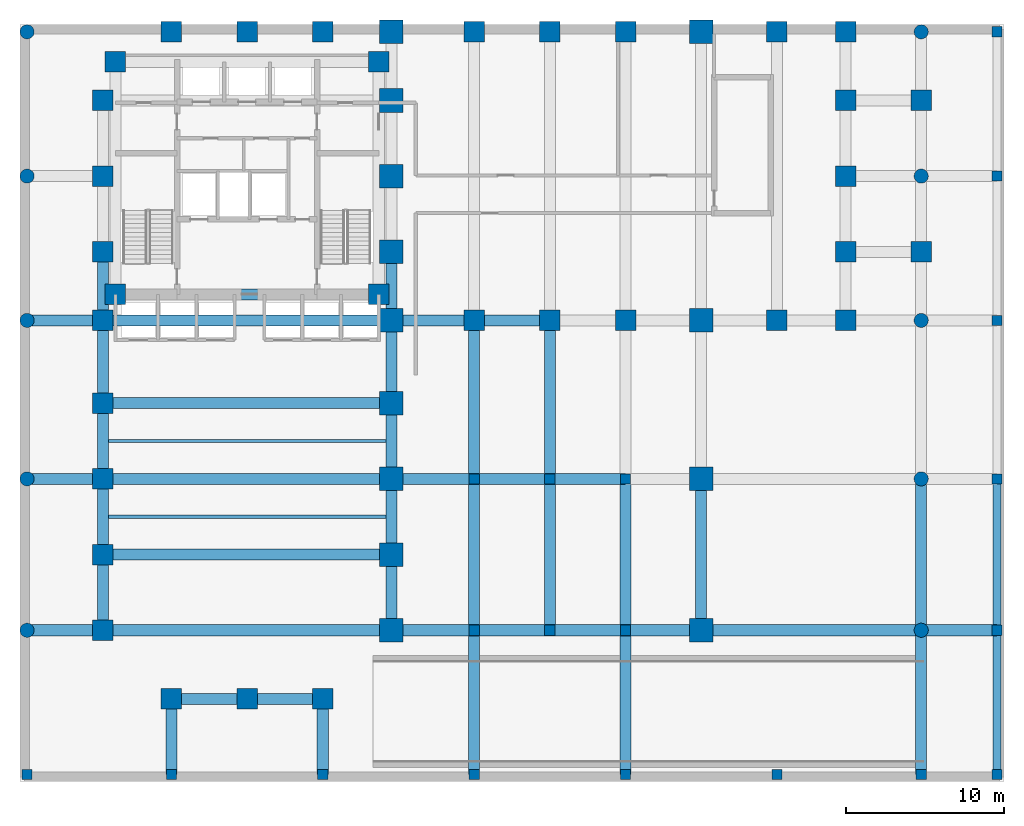
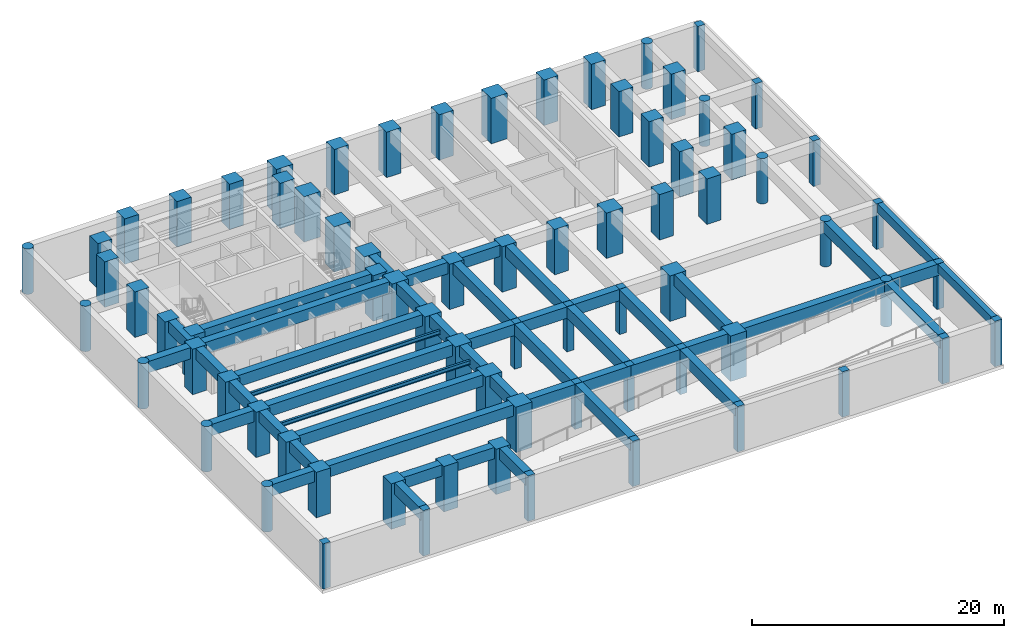
# One storey, part 1 of 6: 75 columns, 48 beams.
"""IFC4 building model written with IfcOpenShell, lengths in metres."""

import ifcopenshell
import ifcopenshell.guid

model = None  # the IFC model being written
_history = None  # IfcOwnerHistory: only IFC2X3 demands one
_inside = {}  # id of a spatial element -> (the spatial element, [elements in it])
_under = {}  # id of a project, library or spatial element -> (it, [spatial elements below it])
_declared = {}  # id of a project -> (the project, [libraries it declares])
_typed = {}  # id of a type object -> (the type object, [elements of that type])
_made_of = {}  # id of a material, layer set ... -> (it, [elements and type objects made of it])


def new_model(schema):
    """Start an empty IFC model of exactly this schema.

    Asked for "IFC4X3", IfcOpenShell would pick the latest addendum, in which some entities
    have other attributes; the version numbers below select the first issue.
    IFC2X3 requires an IfcOwnerHistory on every rooted entity: one is made here for all.
    """
    global model, _history
    if schema == "IFC4X3":
        model = ifcopenshell.file(schema_version=(4, 3, 0, 0))
    else:
        model = ifcopenshell.file(schema=schema)
    _inside.clear()
    _under.clear()
    _declared.clear()
    _typed.clear()
    _made_of.clear()
    _history = None
    if model.schema == "IFC2X3":
        org = make("IfcOrganization", Name="unknown")
        user = make(
            "IfcPersonAndOrganization",
            ThePerson=make("IfcPerson", FamilyName="unknown"),
            TheOrganization=org,
        )
        app = make(
            "IfcApplication",
            ApplicationDeveloper=org,
            Version="unknown",
            ApplicationFullName="unknown",
            ApplicationIdentifier="unknown",
        )
        _history = make(
            "IfcOwnerHistory",
            OwningUser=user,
            OwningApplication=app,
            ChangeAction="ADDED",
            CreationDate=0,
        )
    return model


def make(cls, **values):
    """One entity of the class cls with the attributes given. An attribute that is None is left unset."""
    return model.create_entity(
        cls, **{name: value for name, value in values.items() if value is not None}
    )


def rooted(cls, **values):
    """An entity with a GlobalId (a new one), such as an element, a storey or a relation."""
    return make(cls, GlobalId=ifcopenshell.guid.new(), OwnerHistory=_history, **values)


def si_unit(unit_type, name, prefix=None):
    """IfcSIUnit, for example si_unit("LENGTHUNIT", "METRE", prefix="MILLI")."""
    return make("IfcSIUnit", UnitType=unit_type, Prefix=prefix, Name=name)


def assignment(units):
    """IfcUnitAssignment: the units of a project."""
    return None if units is None else make("IfcUnitAssignment", Units=units)


def point(xyz):
    """IfcCartesianPoint."""
    return None if xyz is None else make("IfcCartesianPoint", Coordinates=xyz)


def direction(xyz):
    """IfcDirection."""
    return None if xyz is None else make("IfcDirection", DirectionRatios=xyz)


def frame(location, z_axis=None, x_axis=None):
    """IfcAxis2Placement3D, a coordinate frame: its origin and axes. An axis left out is left unset."""
    return make(
        "IfcAxis2Placement3D",
        Location=point(location),
        Axis=direction(z_axis),
        RefDirection=direction(x_axis),
    )


def frame_2d(location, x_axis=None):
    """IfcAxis2Placement2D, a coordinate frame in the plane: its origin and x axis."""
    return make(
        "IfcAxis2Placement2D", Location=point(location), RefDirection=direction(x_axis)
    )


def origin():
    """The frame at (0, 0, 0) with its axes left unset."""
    return frame((0.0, 0.0, 0.0))


def origin_2d():
    """The frame at (0, 0) in the plane with its x axis left unset."""
    return frame_2d((0.0, 0.0))


def place(relative_to, where):
    """IfcLocalPlacement: puts the frame where relative to a parent placement (None: the world)."""
    return make(
        "IfcLocalPlacement", PlacementRelTo=relative_to, RelativePlacement=where
    )


def context(
    kind, dimensions, precision=None, world=None, true_north=None, identifier=None
):
    """IfcGeometricRepresentationContext, for example the 3D "Model" context."""
    return make(
        "IfcGeometricRepresentationContext",
        ContextIdentifier=identifier,
        ContextType=kind,
        CoordinateSpaceDimension=dimensions,
        Precision=precision,
        WorldCoordinateSystem=world,
        TrueNorth=true_north,
    )


def subcontext(parent, identifier, kind, view, scale=None):
    """IfcGeometricRepresentationSubContext, for example "Body" below "Model"."""
    return make(
        "IfcGeometricRepresentationSubContext",
        ContextIdentifier=identifier,
        ContextType=kind,
        ParentContext=parent,
        TargetScale=scale,
        TargetView=view,
    )


def project(units=None, contexts=None):
    """IfcProject with its units and contexts."""
    return rooted(
        "IfcProject",
        Name="project",
        RepresentationContexts=contexts,
        UnitsInContext=assignment(units),
    )


def spatial(cls, under=None, at=None, **own):
    """A site, building, storey or space (cls), placed at a placement, below another one or the project."""
    s = rooted(cls, ObjectPlacement=at, **own)
    if under is not None:
        _under.setdefault(under.id(), (under, []))[1].append(s)
    return s


def profile(cls, at=None, kind="AREA", **sizes):
    """A parametric profile (cls). Its sizes go by their IFC names, for example OverallWidth=200.0."""
    return make(cls, ProfileType=kind, Position=at, **sizes)


def rectangle(**sizes):
    """IfcRectangleProfileDef."""
    return profile("IfcRectangleProfileDef", **sizes)


def circle(**sizes):
    """IfcCircleProfileDef."""
    return profile("IfcCircleProfileDef", **sizes)


def i_section(**sizes):
    """IfcIShapeProfileDef."""
    return profile("IfcIShapeProfileDef", **sizes)


def extrude(swept, where, along, depth):
    """IfcExtrudedAreaSolid: the profile swept, set in the frame where, extruded along a direction by depth."""
    return make(
        "IfcExtrudedAreaSolid",
        SweptArea=swept,
        Position=where,
        ExtrudedDirection=direction(along),
        Depth=depth,
    )


def shape(context_of_items, identifier, shape_type, items):
    """IfcShapeRepresentation: the items that make up one representation, for example the "Body"."""
    return make(
        "IfcShapeRepresentation",
        ContextOfItems=context_of_items,
        RepresentationIdentifier=identifier,
        RepresentationType=shape_type,
        Items=items,
    )


def material(Name=None, Category=None):
    """IfcMaterial."""
    return make("IfcMaterial", Name=Name, Category=Category)


def material_profile(
    of_material, cross_section, Name=None, Category=None, Priority=None
):
    """IfcMaterialProfile: a cross section and its material."""
    return make(
        "IfcMaterialProfile",
        Name=Name,
        Material=of_material,
        Profile=cross_section,
        Priority=Priority,
        Category=Category,
    )


def profile_set(profiles, Name=None, composite=None):
    """IfcMaterialProfileSet."""
    return make(
        "IfcMaterialProfileSet",
        Name=Name,
        MaterialProfiles=profiles,
        CompositeProfile=composite,
    )


def made_of(thing, what):
    """Note that an element or type object is made of a material, layer set ...; save() writes the relation."""
    if what is not None:
        _made_of.setdefault(what.id(), (what, []))[1].append(thing)
    return thing


def type_object(cls, material=None, **own):
    """A type object (cls), such as IfcWallType, which elements share."""
    return made_of(rooted(cls, **own), material)


def element(
    cls,
    number,
    at=None,
    inside=None,
    cuts=None,
    type_object=None,
    material=None,
    context=None,
    identifier="Body",
    shape_type=None,
    held_by="IfcProductDefinitionShape",
    body=None,
    shapes=None,
    **own,
):
    """One element of the class cls, such as IfcWall. Its Tag is "e" and its number.

    at: its placement. inside: the storey or other place that contains it. cuts: it is an
    opening in that element (IfcRelVoidsElement). A single representation is given by context,
    identifier, shape_type and body (its items); several are given by shapes. held_by: the class
    of the entity that holds the representations. save() writes the other relations.
    """
    e = rooted(cls, Tag="e%d" % number, ObjectPlacement=at, **own)
    if body is not None:
        shapes = [shape(context, identifier, shape_type, body)]
    if shapes is not None:
        e.Representation = make(held_by, Representations=shapes)
    if inside is not None:
        _inside.setdefault(inside.id(), (inside, []))[1].append(e)
    if cuts is not None:
        rooted(
            "IfcRelVoidsElement", RelatingBuildingElement=cuts, RelatedOpeningElement=e
        )
    if type_object is not None:
        _typed.setdefault(type_object.id(), (type_object, []))[1].append(e)
    return made_of(e, material)


def aggregate(whole, parts):
    """IfcRelAggregates: a whole, such as a stair, and the parts it consists of."""
    return rooted("IfcRelAggregates", RelatingObject=whole, RelatedObjects=parts)


def save(model, path):
    """Write the relations noted so far, then the file.

    IfcRelAggregates (storeys below a building ...), IfcRelContainedInSpatialStructure (elements
    in a storey), IfcRelDefinesByType, IfcRelAssociatesMaterial and IfcRelDeclares: one each for
    every whole, place, type object, material and project.
    """
    for whole, parts in _under.values():
        aggregate(whole, parts)
    for where, things in _inside.values():
        rooted(
            "IfcRelContainedInSpatialStructure",
            RelatedElements=things,
            RelatingStructure=where,
        )
    for kind, things in _typed.values():
        rooted("IfcRelDefinesByType", RelatedObjects=things, RelatingType=kind)
    for what, things in _made_of.values():
        rooted("IfcRelAssociatesMaterial", RelatedObjects=things, RelatingMaterial=what)
    for by, libraries in _declared.values():
        rooted("IfcRelDeclares", RelatingContext=by, RelatedDefinitions=libraries)
    model.write(path)


model = new_model("IFC4")

# Units and contexts
model_context = context("Model", 3, precision=1e-05, world=origin(), true_north=direction((0.0, 1.0)))
body_context = subcontext(model_context, "Body", "Model", "MODEL_VIEW")
ifc_project = project(units=[si_unit("LENGTHUNIT", "METRE"), si_unit("AREAUNIT", "SQUARE_METRE"), si_unit("VOLUMEUNIT", "CUBIC_METRE"), si_unit("PLANEANGLEUNIT", "RADIAN"), si_unit("MASSUNIT", "GRAM", prefix="KILO")], contexts=[model_context])

# Site, building, storey
site_placement = place(None, origin())
site = spatial("IfcSite", under=ifc_project, at=site_placement, CompositionType="ELEMENT")
building_placement = place(site_placement, origin())
building = spatial("IfcBuilding", under=site, at=building_placement, Name="Orvandelia Arch Residences", CompositionType="ELEMENT")
storey_placement = place(building_placement, frame((0.0, 0.0, -4.39990234375)))
storey = spatial("IfcBuildingStorey", under=building, at=storey_placement, Name="B1", CompositionType="ELEMENT", Elevation=-4.39990234375)

# Columns
ifc_material_1 = material(Name="Concrete C50/60", Category="concrete")
ifc_material_profile_1 = material_profile(ifc_material_1, rectangle(XDim=0.64990234375, YDim=0.64990234375, at=origin_2d()), Name="Concrete C50/60", Category="concrete")
ifc_profile_set_1 = profile_set([ifc_material_profile_1], Name="Concrete C50/60")
column_type_1 = type_object("IfcColumnType", Name="COL-BSM-650", PredefinedType="PILASTER", material=ifc_profile_set_1)
for number, where, z_axis, x_axis, name in (
    (1, (0.449951171875, 0.449951171875, 0.0), (0.0, 0.0, 1.0), (1.0, 0.0, 0.0), "Structural Column B1-BSM-S0-4"),
    (2, (9.60009765625, 0.449951171875, 0.0), (0.0, 0.0, 1.0), (1.0, 0.0, 0.0), "Structural Column B1-BSM-S0-96"),
    (3, (19.199951171875, 0.449951171875, 0.0), (0.0, 0.0, 1.0), (1.0, 0.0, 0.0), "Structural Column B1-BSM-S0-192"),
    (4, (28.800048828125, 0.449951171875, 0.0), (0.0, 0.0, 1.0), (1.0, 0.0, 0.0), "Structural Column B1-BSM-S0-288"),
    (5, (28.800048828125, 9.60009765625, 0.0), (0.0, 0.0, 1.0), (1.0, 0.0, 0.0), "Structural Column B1-XFR-S-288-96"),
    (6, (28.800048828125, 19.199951171875, 0.0), (0.0, 0.0, 1.0), (1.0, 0.0, 0.0), "Structural Column B1-XFR-S-288-192"),
    (7, (33.60009765625, 9.60009765625, 0.0), (0.0, 0.0, 1.0), (1.0, 0.0, 0.0), "Structural Column B1-XFR-S-336-96"),
    (8, (33.60009765625, 19.199951171875, 0.0), (0.0, 0.0, 1.0), (1.0, 0.0, 0.0), "Structural Column B1-XFR-S-336-192"),
    (9, (38.39990234375, 0.449951171875, 0.0), (0.0, 0.0, 1.0), (1.0, 0.0, 0.0), "Structural Column B1-BSM-S0-384"),
    (10, (38.39990234375, 9.60009765625, 0.0), (0.0, 0.0, 1.0), (1.0, 0.0, 0.0), "Structural Column B1-XFR-S-384-96"),
    (11, (38.39990234375, 19.199951171875, 0.0), (0.0, 0.0, 1.0), (1.0, 0.0, 0.0), "Structural Column B1-XFR-S-384-192"),
    (12, (48.0, 0.449951171875, 0.0), (0.0, 0.0, 1.0), (1.0, 0.0, 0.0), "Structural Column B1-BSM-S0-480"),
    (13, (57.14990234375, 0.449951171875, 0.0), (0.0, 0.0, 1.0), (1.0, 0.0, 0.0), "Structural Column B1-BSM-S0-571"),
    (14, (61.949951171875, 0.449951171875, 0.0), (0.0, 0.0, 1.0), (1.0, 0.0, 0.0), "Structural Column B1-BSM-S0-619"),
    (15, (61.949951171875, 9.60009765625, 0.0), (0.0, 0.0, 1.0), (1.0, 0.0, 0.0), "Structural Column B1-BSM-E62-96"),
    (16, (61.949951171875, 19.199951171875, 0.0), (0.0, 0.0, 1.0), (1.0, 0.0, 0.0), "Structural Column B1-BSM-E62-192"),
    (17, (61.949951171875, 29.25, 0.0), (0.0, 0.0, 1.0), (1.0, 0.0, 0.0), "Structural Column B1-BSM-E62-292"),
    (18, (61.949951171875, 38.39990234375, 0.0), (0.0, 0.0, 1.0), (1.0, 0.0, 0.0), "Structural Column B1-BSM-E62-384"),
    (19, (61.949951171875, 47.550048828125, 0.0), (0.0, 0.0, 1.0), (1.0, 0.0, 0.0), "Structural Column B1-BSM-E62-475"),
):
    element("IfcColumn", number, at=place(storey_placement, frame(where, z_axis=z_axis, x_axis=x_axis)), inside=storey, type_object=column_type_1, Name=name, PredefinedType="PILASTER", context=body_context, shape_type="SweptSolid", body=[
        extrude(rectangle(XDim=0.64990234375, YDim=0.64990234375, at=origin_2d()), origin(), (0.0, 0.0, 1.0), 4.39990234375),
    ])
ifc_material_2 = material(Name="Concrete C80/95", Category="concrete")
ifc_material_profile_2 = material_profile(ifc_material_2, rectangle(XDim=1.5, YDim=1.5, at=origin_2d()), Name="Concrete C80/95", Category="concrete")
ifc_profile_set_2 = profile_set([ifc_material_profile_2], Name="Concrete C80/95")
column_type_2 = type_object("IfcColumnType", Name="COL-MEGA-1500", PredefinedType="USERDEFINED", material=ifc_profile_set_2)
for number, where, z_axis, x_axis, name in (
    (20, (23.550048828125, 9.60009765625, 0.0), (0.0, 0.0, 1.0), (1.0, 0.0, 0.0), "Structural Column B1-W-E-96"),
    (21, (23.550048828125, 14.39990234375, 0.0), (0.0, 0.0, 1.0), (1.0, 0.0, 0.0), "Structural Column B1-W-E-144"),
    (22, (23.550048828125, 19.199951171875, 0.0), (0.0, 0.0, 1.0), (1.0, 0.0, 0.0), "Structural Column B1-W-E-192"),
    (23, (23.550048828125, 24.0, 0.0), (0.0, 0.0, 1.0), (1.0, 0.0, 0.0), "Structural Column B1-W-E-240"),
    (24, (23.550048828125, 29.25, 0.0), (0.0, 0.0, 1.0), (1.0, 0.0, 0.0), "Structural Column B1-W-E-292"),
    (25, (23.550048828125, 33.60009765625, 0.0), (0.0, 0.0, 1.0), (1.0, 0.0, 0.0), "Structural Column B1-W-E-336"),
    (26, (23.550048828125, 38.39990234375, 0.0), (0.0, 0.0, 1.0), (1.0, 0.0, 0.0), "Structural Column B1-W-E-384"),
    (27, (23.550048828125, 43.199951171875, 0.0), (0.0, 0.0, 1.0), (1.0, 0.0, 0.0), "Structural Column B1-W-E-432"),
    (28, (23.550048828125, 47.550048828125, 0.0), (0.0, 0.0, 1.0), (1.0, 0.0, 0.0), "Structural Column B1-W-N-235"),
    (29, (43.199951171875, 9.60009765625, 0.0), (0.0, 0.0, 1.0), (1.0, 0.0, 0.0), "Structural Column B1-MPE-96"),
    (30, (43.199951171875, 19.199951171875, 0.0), (0.0, 0.0, 1.0), (1.0, 0.0, 0.0), "Structural Column B1-MPE-192"),
    (31, (43.199951171875, 29.25, 0.0), (0.0, 0.0, 1.0), (1.0, 0.0, 0.0), "Structural Column B1-E-S-432"),
    (32, (43.199951171875, 47.550048828125, 0.0), (0.0, 0.0, 1.0), (1.0, 0.0, 0.0), "Structural Column B1-E-N-432"),
):
    element("IfcColumn", number, at=place(storey_placement, frame(where, z_axis=z_axis, x_axis=x_axis)), inside=storey, type_object=column_type_2, Name=name, ObjectType="PIER COLUMN", PredefinedType="USERDEFINED", context=body_context, shape_type="SweptSolid", body=[
        extrude(rectangle(XDim=1.5, YDim=1.5, at=origin_2d()), origin(), (0.0, 0.0, 1.0), 4.39990234375),
    ])
ifc_material_3 = material(Name="Concrete C60/75", Category="concrete")
ifc_material_profile_3 = material_profile(ifc_material_3, circle(Radius=0.449951171875, at=origin_2d()), Name="Concrete C60/75", Category="concrete")
ifc_profile_set_3 = profile_set([ifc_material_profile_3], Name="Concrete C60/75")
column_type_3 = type_object("IfcColumnType", Name="COL-POD-900C", PredefinedType="COLUMN", material=ifc_profile_set_3)
for number, where, z_axis, x_axis, name in (
    (33, (0.449951171875, 9.60009765625, 0.0), (0.0, 0.0, 1.0), (1.0, 0.0, 0.0), "Structural Column B1-POD-W0-96"),
    (34, (0.449951171875, 19.199951171875, 0.0), (0.0, 0.0, 1.0), (1.0, 0.0, 0.0), "Structural Column B1-POD-W0-192"),
    (35, (0.449951171875, 29.25, 0.0), (0.0, 0.0, 1.0), (1.0, 0.0, 0.0), "Structural Column B1-POD-W0-292"),
    (36, (0.449951171875, 38.39990234375, 0.0), (0.0, 0.0, 1.0), (1.0, 0.0, 0.0), "Structural Column B1-POD-W0-384"),
    (37, (0.449951171875, 47.550048828125, 0.0), (0.0, 0.0, 1.0), (1.0, 0.0, 0.0), "Structural Column B1-POD-W0-475"),
    (38, (57.14990234375, 9.60009765625, 0.0), (0.0, 0.0, 1.0), (1.0, 0.0, 0.0), "Structural Column B1-POD-E0-96"),
    (39, (57.14990234375, 19.199951171875, 0.0), (0.0, 0.0, 1.0), (1.0, 0.0, 0.0), "Structural Column B1-POD-E0-192"),
    (40, (57.14990234375, 29.25, 0.0), (0.0, 0.0, 1.0), (1.0, 0.0, 0.0), "Structural Column B1-POD-E0-292"),
    (41, (57.14990234375, 38.39990234375, 0.0), (0.0, 0.0, 1.0), (1.0, 0.0, 0.0), "Structural Column B1-POD-E0-384"),
    (42, (57.14990234375, 47.550048828125, 0.0), (0.0, 0.0, 1.0), (1.0, 0.0, 0.0), "Structural Column B1-POD-E0-475"),
):
    element("IfcColumn", number, at=place(storey_placement, frame(where, z_axis=z_axis, x_axis=x_axis)), inside=storey, type_object=column_type_3, Name=name, PredefinedType="COLUMN", context=body_context, shape_type="SweptSolid", body=[
        extrude(circle(Radius=0.449951171875, at=origin_2d()), origin(), (0.0, 0.0, 1.0), 4.39990234375),
    ])
ifc_material_profile_4 = material_profile(ifc_material_2, rectangle(XDim=1.300048828125, YDim=1.300048828125, at=origin_2d()), Name="Concrete C80/95", Category="concrete")
ifc_profile_set_4 = profile_set([ifc_material_profile_4], Name="Concrete C80/95")
column_type_4 = type_object("IfcColumnType", Name="COL-TWR-1300", PredefinedType="COLUMN", material=ifc_profile_set_4)
for number, where, z_axis, x_axis, name in (
    (43, (5.25, 9.60009765625, 0.0), (0.0, 0.0, 1.0), (1.0, 0.0, 0.0), "Structural Column B1-W-W-96"),
    (44, (5.25, 14.39990234375, 0.0), (0.0, 0.0, 1.0), (1.0, 0.0, 0.0), "Structural Column B1-W-W-144"),
    (45, (5.25, 19.199951171875, 0.0), (0.0, 0.0, 1.0), (1.0, 0.0, 0.0), "Structural Column B1-W-W-192"),
    (46, (5.25, 24.0, 0.0), (0.0, 0.0, 1.0), (1.0, 0.0, 0.0), "Structural Column B1-W-W-240"),
    (47, (5.25, 29.25, 0.0), (0.0, 0.0, 1.0), (1.0, 0.0, 0.0), "Structural Column B1-W-W-292"),
    (48, (5.25, 33.60009765625, 0.0), (0.0, 0.0, 1.0), (1.0, 0.0, 0.0), "Structural Column B1-W-W-336"),
    (49, (5.25, 38.39990234375, 0.0), (0.0, 0.0, 1.0), (1.0, 0.0, 0.0), "Structural Column B1-W-W-384"),
    (50, (5.25, 43.199951171875, 0.0), (0.0, 0.0, 1.0), (1.0, 0.0, 0.0), "Structural Column B1-W-W-432"),
    (51, (6.050048828125, 30.89990234375, 0.0), (0.0, 0.0, 1.0), (1.0, 0.0, 0.0), "Structural Column B1-CR-SW"),
    (52, (6.050048828125, 45.64990234375, 0.0), (0.0, 0.0, 1.0), (1.0, 0.0, 0.0), "Structural Column B1-CR-NW"),
    (53, (9.60009765625, 5.25, 0.0), (0.0, 0.0, 1.0), (1.0, 0.0, 0.0), "Structural Column B1-W-S-96"),
    (54, (9.60009765625, 47.550048828125, 0.0), (0.0, 0.0, 1.0), (1.0, 0.0, 0.0), "Structural Column B1-W-N-96"),
    (55, (14.39990234375, 5.25, 0.0), (0.0, 0.0, 1.0), (1.0, 0.0, 0.0), "Structural Column B1-W-S-144"),
    (56, (14.39990234375, 47.550048828125, 0.0), (0.0, 0.0, 1.0), (1.0, 0.0, 0.0), "Structural Column B1-W-N-144"),
    (57, (19.199951171875, 5.25, 0.0), (0.0, 0.0, 1.0), (1.0, 0.0, 0.0), "Structural Column B1-W-S-192"),
    (58, (19.199951171875, 47.550048828125, 0.0), (0.0, 0.0, 1.0), (1.0, 0.0, 0.0), "Structural Column B1-W-N-192"),
    (59, (22.75, 30.89990234375, 0.0), (0.0, 0.0, 1.0), (1.0, 0.0, 0.0), "Structural Column B1-CR-SE"),
    (60, (22.75, 45.64990234375, 0.0), (0.0, 0.0, 1.0), (1.0, 0.0, 0.0), "Structural Column B1-CR-NE"),
    (61, (28.800048828125, 29.25, 0.0), (0.0, 0.0, 1.0), (1.0, 0.0, 0.0), "Structural Column B1-E-S-288"),
    (62, (28.800048828125, 47.550048828125, 0.0), (0.0, 0.0, 1.0), (1.0, 0.0, 0.0), "Structural Column B1-E-N-288"),
    (63, (33.60009765625, 29.25, 0.0), (0.0, 0.0, 1.0), (1.0, 0.0, 0.0), "Structural Column B1-E-S-336"),
    (64, (33.60009765625, 47.550048828125, 0.0), (0.0, 0.0, 1.0), (1.0, 0.0, 0.0), "Structural Column B1-E-N-336"),
    (65, (38.39990234375, 29.25, 0.0), (0.0, 0.0, 1.0), (1.0, 0.0, 0.0), "Structural Column B1-E-S-384"),
    (66, (38.39990234375, 47.550048828125, 0.0), (0.0, 0.0, 1.0), (1.0, 0.0, 0.0), "Structural Column B1-E-N-384"),
    (67, (48.0, 29.25, 0.0), (0.0, 0.0, 1.0), (1.0, 0.0, 0.0), "Structural Column B1-E-S-480"),
    (68, (48.0, 47.550048828125, 0.0), (0.0, 0.0, 1.0), (1.0, 0.0, 0.0), "Structural Column B1-E-N-480"),
    (69, (52.35009765625, 29.25, 0.0), (0.0, 0.0, 1.0), (1.0, 0.0, 0.0), "Structural Column B1-E-S-523"),
    (70, (52.35009765625, 33.60009765625, 0.0), (0.0, 0.0, 1.0), (1.0, 0.0, 0.0), "Structural Column B1-E-523-336"),
    (71, (52.35009765625, 38.39990234375, 0.0), (0.0, 0.0, 1.0), (1.0, 0.0, 0.0), "Structural Column B1-E-523-384"),
    (72, (52.35009765625, 43.199951171875, 0.0), (0.0, 0.0, 1.0), (1.0, 0.0, 0.0), "Structural Column B1-E-523-432"),
    (73, (52.35009765625, 47.550048828125, 0.0), (0.0, 0.0, 1.0), (1.0, 0.0, 0.0), "Structural Column B1-E-N-523"),
    (74, (57.14990234375, 33.60009765625, 0.0), (0.0, 0.0, 1.0), (1.0, 0.0, 0.0), "Structural Column B1-E-571-336"),
    (75, (57.14990234375, 43.199951171875, 0.0), (0.0, 0.0, 1.0), (1.0, 0.0, 0.0), "Structural Column B1-E-571-432"),
):
    element("IfcColumn", number, at=place(storey_placement, frame(where, z_axis=z_axis, x_axis=x_axis)), inside=storey, type_object=column_type_4, Name=name, PredefinedType="COLUMN", context=body_context, shape_type="SweptSolid", body=[
        extrude(rectangle(XDim=1.300048828125, YDim=1.300048828125, at=origin_2d()), origin(), (0.0, 0.0, 1.0), 4.39990234375),
    ])

# Beams
ifc_material_4 = material(Name="Structural Steel SM355 (355 MPa)", Category="steel")
ifc_material_profile_5 = material_profile(ifc_material_4, i_section(OverallWidth=0.199951171875, OverallDepth=0.39990234375, WebThickness=0.008056640625, FlangeThickness=0.012939453125, FilletRadius=0.01611328125, at=origin_2d()), Name="Structural Steel SM355 (355 MPa)", Category="steel")
ifc_profile_set_5 = profile_set([ifc_material_profile_5], Name="Structural Steel SM355 (355 MPa)")
beam_type_1 = type_object("IfcBeamType", Name="BM-JST-H400", PredefinedType="JOIST", material=ifc_profile_set_5)
for number, where, z_axis, x_axis, name in (
    (76, (5.25, 16.800048828125, 3.849853515625), (1.0, 0.0, 0.0), (0.0, 1.0, 0.0), "Composite Floor Joist B1-J1"),
    (77, (5.25, 21.60009765625, 3.849853515625), (1.0, 0.0, 0.0), (0.0, 1.0, 0.0), "Composite Floor Joist B1-J2"),
):
    element("IfcBeam", number, at=place(storey_placement, frame(where, z_axis=z_axis, x_axis=x_axis)), inside=storey, type_object=beam_type_1, Name=name, PredefinedType="JOIST", context=body_context, shape_type="SweptSolid", body=[
        extrude(i_section(OverallWidth=0.199951171875, OverallDepth=0.39990234375, WebThickness=0.008056640625, FlangeThickness=0.012939453125, FilletRadius=0.01611328125, at=origin_2d()), origin(), (0.0, 0.0, 1.0), 18.300048828125),
    ])
ifc_material_profile_6 = material_profile(ifc_material_1, rectangle(XDim=0.5, YDim=0.85009765625, at=origin_2d()), Name="Concrete C50/60", Category="concrete")
ifc_profile_set_6 = profile_set([ifc_material_profile_6], Name="Concrete C50/60")
beam_type_2 = type_object("IfcBeamType", Name="BM-RC-500x850", PredefinedType="T_BEAM", material=ifc_profile_set_6)
beam_1_placement = place(storey_placement, frame((61.949951171875, 0.449951171875, 3.974853515625), z_axis=(0.0, 1.0, 0.0), x_axis=(-1.0, 0.0, 0.0)))
element("IfcBeam", 78, at=beam_1_placement, inside=storey, type_object=beam_type_2, Name="Basement Perimeter Edge Beam B1-4", PredefinedType="T_BEAM", context=body_context, shape_type="SweptSolid", body=[
    extrude(rectangle(XDim=0.5, YDim=0.85009765625, at=origin_2d()), origin(), (0.0, 0.0, 1.0), 9.150146484375),
])
beam_2_placement = place(storey_placement, frame((61.949951171875, 9.60009765625, 3.974853515625), z_axis=(0.0, 1.0, 0.0), x_axis=(-1.0, 0.0, 0.0)))
element("IfcBeam", 79, at=beam_2_placement, inside=storey, type_object=beam_type_2, Name="Basement Perimeter Edge Beam B1-96", PredefinedType="T_BEAM", context=body_context, shape_type="SweptSolid", body=[
    extrude(rectangle(XDim=0.5, YDim=0.85009765625, at=origin_2d()), origin(), (0.0, 0.0, 1.0), 9.599853515625),
])
ifc_material_profile_7 = material_profile(ifc_material_3, rectangle(XDim=0.699951171875, YDim=1.10009765625, at=origin_2d()), Name="Concrete C60/75", Category="concrete")
ifc_profile_set_7 = profile_set([ifc_material_profile_7], Name="Concrete C60/75")
beam_type_3 = type_object("IfcBeamType", Name="BM-RC-700x1100", PredefinedType="BEAM", material=ifc_profile_set_7)
beam_3_placement = place(storey_placement, frame((5.25, 9.60009765625, 3.849853515625), z_axis=(0.0, 1.0, 0.0), x_axis=(-1.0, 0.0, 0.0)))
element("IfcBeam", 80, at=beam_3_placement, inside=storey, type_object=beam_type_3, Name="Structural Frame Beam B1-NS-001", PredefinedType="BEAM", context=body_context, shape_type="SweptSolid", body=[
    extrude(rectangle(XDim=0.699951171875, YDim=1.10009765625, at=origin_2d()), origin(), (0.0, 0.0, 1.0), 4.7998046875),
])
for number, where, z_axis, x_axis, name in (
    (81, (5.25, 14.39990234375, 3.849853515625), (0.0, 1.0, 0.0), (-1.0, 0.0, 0.0), "Structural Frame Beam B1-NS-002"),
    (82, (5.25, 19.199951171875, 3.849853515625), (0.0, 1.0, 0.0), (-1.0, 0.0, 0.0), "Structural Frame Beam B1-NS-003"),
):
    element("IfcBeam", number, at=place(storey_placement, frame(where, z_axis=z_axis, x_axis=x_axis)), inside=storey, type_object=beam_type_3, Name=name, PredefinedType="BEAM", context=body_context, shape_type="SweptSolid", body=[
        extrude(rectangle(XDim=0.699951171875, YDim=1.10009765625, at=origin_2d()), origin(), (0.0, 0.0, 1.0), 4.800048828125),
    ])
beam_4_placement = place(storey_placement, frame((5.25, 24.0, 3.849853515625), z_axis=(0.0, 1.0, 0.0), x_axis=(-1.0, 0.0, 0.0)))
element("IfcBeam", 83, at=beam_4_placement, inside=storey, type_object=beam_type_3, Name="Structural Frame Beam B1-NS-004", PredefinedType="BEAM", context=body_context, shape_type="SweptSolid", body=[
    extrude(rectangle(XDim=0.699951171875, YDim=1.10009765625, at=origin_2d()), origin(), (0.0, 0.0, 1.0), 5.25),
])
beam_5_placement = place(storey_placement, frame((5.25, 29.25, 3.849853515625), z_axis=(0.0, 1.0, 0.0), x_axis=(-1.0, 0.0, 0.0)))
element("IfcBeam", 84, at=beam_5_placement, inside=storey, type_object=beam_type_3, Name="Structural Frame Beam B1-NS-005", PredefinedType="BEAM", context=body_context, shape_type="SweptSolid", body=[
    extrude(rectangle(XDim=0.699951171875, YDim=1.10009765625, at=origin_2d()), origin(), (0.0, 0.0, 1.0), 4.35009765625),
])
for number, where, z_axis, x_axis, name in (
    (85, (9.60009765625, 0.449951171875, 3.849853515625), (0.0, 1.0, 0.0), (-1.0, 0.0, 0.0), "Structural Frame Beam B1-NS-009"),
    (86, (19.199951171875, 0.449951171875, 3.849853515625), (0.0, 1.0, 0.0), (-1.0, 0.0, 0.0), "Structural Frame Beam B1-NS-010"),
):
    element("IfcBeam", number, at=place(storey_placement, frame(where, z_axis=z_axis, x_axis=x_axis)), inside=storey, type_object=beam_type_3, Name=name, PredefinedType="BEAM", context=body_context, shape_type="SweptSolid", body=[
        extrude(rectangle(XDim=0.699951171875, YDim=1.10009765625, at=origin_2d()), origin(), (0.0, 0.0, 1.0), 4.800048828125),
    ])
beam_6_placement = place(storey_placement, frame((23.550048828125, 9.60009765625, 3.849853515625), z_axis=(0.0, 1.0, 0.0), x_axis=(-1.0, 0.0, 0.0)))
element("IfcBeam", 87, at=beam_6_placement, inside=storey, type_object=beam_type_3, Name="Structural Frame Beam B1-NS-012", PredefinedType="BEAM", context=body_context, shape_type="SweptSolid", body=[
    extrude(rectangle(XDim=0.699951171875, YDim=1.10009765625, at=origin_2d()), origin(), (0.0, 0.0, 1.0), 4.7998046875),
])
for number, where, z_axis, x_axis, name in (
    (88, (23.550048828125, 14.39990234375, 3.849853515625), (0.0, 1.0, 0.0), (-1.0, 0.0, 0.0), "Structural Frame Beam B1-NS-013"),
    (89, (23.550048828125, 19.199951171875, 3.849853515625), (0.0, 1.0, 0.0), (-1.0, 0.0, 0.0), "Structural Frame Beam B1-NS-014"),
):
    element("IfcBeam", number, at=place(storey_placement, frame(where, z_axis=z_axis, x_axis=x_axis)), inside=storey, type_object=beam_type_3, Name=name, PredefinedType="BEAM", context=body_context, shape_type="SweptSolid", body=[
        extrude(rectangle(XDim=0.699951171875, YDim=1.10009765625, at=origin_2d()), origin(), (0.0, 0.0, 1.0), 4.800048828125),
    ])
beam_7_placement = place(storey_placement, frame((23.550048828125, 24.0, 3.849853515625), z_axis=(0.0, 1.0, 0.0), x_axis=(-1.0, 0.0, 0.0)))
element("IfcBeam", 90, at=beam_7_placement, inside=storey, type_object=beam_type_3, Name="Structural Frame Beam B1-NS-015", PredefinedType="BEAM", context=body_context, shape_type="SweptSolid", body=[
    extrude(rectangle(XDim=0.699951171875, YDim=1.10009765625, at=origin_2d()), origin(), (0.0, 0.0, 1.0), 5.25),
])
beam_8_placement = place(storey_placement, frame((23.550048828125, 29.25, 3.849853515625), z_axis=(0.0, 1.0, 0.0), x_axis=(-1.0, 0.0, 0.0)))
element("IfcBeam", 91, at=beam_8_placement, inside=storey, type_object=beam_type_3, Name="Structural Frame Beam B1-NS-016", PredefinedType="BEAM", context=body_context, shape_type="SweptSolid", body=[
    extrude(rectangle(XDim=0.699951171875, YDim=1.10009765625, at=origin_2d()), origin(), (0.0, 0.0, 1.0), 4.35009765625),
])
beam_9_placement = place(storey_placement, frame((28.800048828125, 0.449951171875, 3.849853515625), z_axis=(0.0, 1.0, 0.0), x_axis=(-1.0, 0.0, 0.0)))
element("IfcBeam", 92, at=beam_9_placement, inside=storey, type_object=beam_type_3, Name="Structural Frame Beam B1-NS-020", PredefinedType="BEAM", context=body_context, shape_type="SweptSolid", body=[
    extrude(rectangle(XDim=0.699951171875, YDim=1.10009765625, at=origin_2d()), origin(), (0.0, 0.0, 1.0), 9.150146484375),
])
beam_10_placement = place(storey_placement, frame((28.800048828125, 9.60009765625, 3.849853515625), z_axis=(0.0, 1.0, 0.0), x_axis=(-1.0, 0.0, 0.0)))
element("IfcBeam", 93, at=beam_10_placement, inside=storey, type_object=beam_type_3, Name="Structural Frame Beam B1-NS-021", PredefinedType="BEAM", context=body_context, shape_type="SweptSolid", body=[
    extrude(rectangle(XDim=0.699951171875, YDim=1.10009765625, at=origin_2d()), origin(), (0.0, 0.0, 1.0), 9.599853515625),
])
beam_11_placement = place(storey_placement, frame((28.800048828125, 19.199951171875, 3.849853515625), z_axis=(0.0, 1.0, 0.0), x_axis=(-1.0, 0.0, 0.0)))
element("IfcBeam", 94, at=beam_11_placement, inside=storey, type_object=beam_type_3, Name="Structural Frame Beam B1-NS-022", PredefinedType="BEAM", context=body_context, shape_type="SweptSolid", body=[
    extrude(rectangle(XDim=0.699951171875, YDim=1.10009765625, at=origin_2d()), origin(), (0.0, 0.0, 1.0), 10.050048828125),
])
beam_12_placement = place(storey_placement, frame((33.60009765625, 9.60009765625, 3.849853515625), z_axis=(0.0, 1.0, 0.0), x_axis=(-1.0, 0.0, 0.0)))
element("IfcBeam", 95, at=beam_12_placement, inside=storey, type_object=beam_type_3, Name="Structural Frame Beam B1-NS-024", PredefinedType="BEAM", context=body_context, shape_type="SweptSolid", body=[
    extrude(rectangle(XDim=0.699951171875, YDim=1.10009765625, at=origin_2d()), origin(), (0.0, 0.0, 1.0), 9.599853515625),
])
beam_13_placement = place(storey_placement, frame((33.60009765625, 19.199951171875, 3.849853515625), z_axis=(0.0, 1.0, 0.0), x_axis=(-1.0, 0.0, 0.0)))
element("IfcBeam", 96, at=beam_13_placement, inside=storey, type_object=beam_type_3, Name="Structural Frame Beam B1-NS-025", PredefinedType="BEAM", context=body_context, shape_type="SweptSolid", body=[
    extrude(rectangle(XDim=0.699951171875, YDim=1.10009765625, at=origin_2d()), origin(), (0.0, 0.0, 1.0), 10.050048828125),
])
beam_14_placement = place(storey_placement, frame((38.39990234375, 0.449951171875, 3.849853515625), z_axis=(0.0, 1.0, 0.0), x_axis=(-1.0, 0.0, 0.0)))
element("IfcBeam", 97, at=beam_14_placement, inside=storey, type_object=beam_type_3, Name="Structural Frame Beam B1-NS-027", PredefinedType="BEAM", context=body_context, shape_type="SweptSolid", body=[
    extrude(rectangle(XDim=0.699951171875, YDim=1.10009765625, at=origin_2d()), origin(), (0.0, 0.0, 1.0), 9.150146484375),
])
for number, where, z_axis, x_axis, name in (
    (98, (38.39990234375, 9.60009765625, 3.849853515625), (0.0, 1.0, 0.0), (-1.0, 0.0, 0.0), "Structural Frame Beam B1-NS-028"),
    (99, (43.199951171875, 9.60009765625, 3.849853515625), (0.0, 1.0, 0.0), (-1.0, 0.0, 0.0), "Structural Frame Beam B1-NS-031"),
):
    element("IfcBeam", number, at=place(storey_placement, frame(where, z_axis=z_axis, x_axis=x_axis)), inside=storey, type_object=beam_type_3, Name=name, PredefinedType="BEAM", context=body_context, shape_type="SweptSolid", body=[
        extrude(rectangle(XDim=0.699951171875, YDim=1.10009765625, at=origin_2d()), origin(), (0.0, 0.0, 1.0), 9.599853515625),
    ])
beam_15_placement = place(storey_placement, frame((57.14990234375, 0.449951171875, 3.849853515625), z_axis=(0.0, 1.0, 0.0), x_axis=(-1.0, 0.0, 0.0)))
element("IfcBeam", 100, at=beam_15_placement, inside=storey, type_object=beam_type_3, Name="Structural Frame Beam B1-NS-039", PredefinedType="BEAM", context=body_context, shape_type="SweptSolid", body=[
    extrude(rectangle(XDim=0.699951171875, YDim=1.10009765625, at=origin_2d()), origin(), (0.0, 0.0, 1.0), 9.150146484375),
])
beam_16_placement = place(storey_placement, frame((57.14990234375, 9.60009765625, 3.849853515625), z_axis=(0.0, 1.0, 0.0), x_axis=(-1.0, 0.0, 0.0)))
element("IfcBeam", 101, at=beam_16_placement, inside=storey, type_object=beam_type_3, Name="Structural Frame Beam B1-NS-040", PredefinedType="BEAM", context=body_context, shape_type="SweptSolid", body=[
    extrude(rectangle(XDim=0.699951171875, YDim=1.10009765625, at=origin_2d()), origin(), (0.0, 0.0, 1.0), 9.599853515625),
])
beam_17_placement = place(storey_placement, frame((9.60009765625, 5.25, 3.849853515625), z_axis=(1.0, 0.0, 0.0), x_axis=(0.0, 1.0, 0.0)))
element("IfcBeam", 102, at=beam_17_placement, inside=storey, type_object=beam_type_3, Name="Structural Frame Girder B1-EW-046", PredefinedType="BEAM", context=body_context, shape_type="SweptSolid", body=[
    extrude(rectangle(XDim=0.699951171875, YDim=1.10009765625, at=origin_2d()), origin(), (0.0, 0.0, 1.0), 4.7998046875),
])
for number, where, z_axis, x_axis, name in (
    (103, (14.39990234375, 5.25, 3.849853515625), (1.0, 0.0, 0.0), (0.0, 1.0, 0.0), "Structural Frame Girder B1-EW-047"),
    (104, (0.449951171875, 9.60009765625, 3.849853515625), (1.0, 0.0, 0.0), (0.0, 1.0, 0.0), "Structural Frame Girder B1-EW-048"),
):
    element("IfcBeam", number, at=place(storey_placement, frame(where, z_axis=z_axis, x_axis=x_axis)), inside=storey, type_object=beam_type_3, Name=name, PredefinedType="BEAM", context=body_context, shape_type="SweptSolid", body=[
        extrude(rectangle(XDim=0.699951171875, YDim=1.10009765625, at=origin_2d()), origin(), (0.0, 0.0, 1.0), 4.800048828125),
    ])
beam_18_placement = place(storey_placement, frame((5.25, 9.60009765625, 3.849853515625), z_axis=(1.0, 0.0, 0.0), x_axis=(0.0, 1.0, 0.0)))
element("IfcBeam", 105, at=beam_18_placement, inside=storey, type_object=beam_type_3, Name="Structural Frame Girder B1-EW-049", PredefinedType="BEAM", context=body_context, shape_type="SweptSolid", body=[
    extrude(rectangle(XDim=0.699951171875, YDim=1.10009765625, at=origin_2d()), origin(), (0.0, 0.0, 1.0), 18.300048828125),
])
beam_19_placement = place(storey_placement, frame((23.550048828125, 9.60009765625, 3.849853515625), z_axis=(1.0, 0.0, 0.0), x_axis=(0.0, 1.0, 0.0)))
element("IfcBeam", 106, at=beam_19_placement, inside=storey, type_object=beam_type_3, Name="Structural Frame Girder B1-EW-050", PredefinedType="BEAM", context=body_context, shape_type="SweptSolid", body=[
    extrude(rectangle(XDim=0.699951171875, YDim=1.10009765625, at=origin_2d()), origin(), (0.0, 0.0, 1.0), 5.25),
])
beam_20_placement = place(storey_placement, frame((28.800048828125, 9.60009765625, 3.849853515625), z_axis=(1.0, 0.0, 0.0), x_axis=(0.0, 1.0, 0.0)))
element("IfcBeam", 107, at=beam_20_placement, inside=storey, type_object=beam_type_3, Name="Structural Frame Girder B1-EW-051", PredefinedType="BEAM", context=body_context, shape_type="SweptSolid", body=[
    extrude(rectangle(XDim=0.699951171875, YDim=1.10009765625, at=origin_2d()), origin(), (0.0, 0.0, 1.0), 4.800048828125),
])
beam_21_placement = place(storey_placement, frame((33.60009765625, 9.60009765625, 3.849853515625), z_axis=(1.0, 0.0, 0.0), x_axis=(0.0, 1.0, 0.0)))
element("IfcBeam", 108, at=beam_21_placement, inside=storey, type_object=beam_type_3, Name="Structural Frame Girder B1-EW-052", PredefinedType="BEAM", context=body_context, shape_type="SweptSolid", body=[
    extrude(rectangle(XDim=0.699951171875, YDim=1.10009765625, at=origin_2d()), origin(), (0.0, 0.0, 1.0), 4.7998046875),
])
beam_22_placement = place(storey_placement, frame((38.39990234375, 9.60009765625, 3.849853515625), z_axis=(1.0, 0.0, 0.0), x_axis=(0.0, 1.0, 0.0)))
element("IfcBeam", 109, at=beam_22_placement, inside=storey, type_object=beam_type_3, Name="Structural Frame Girder B1-EW-053", PredefinedType="BEAM", context=body_context, shape_type="SweptSolid", body=[
    extrude(rectangle(XDim=0.699951171875, YDim=1.10009765625, at=origin_2d()), origin(), (0.0, 0.0, 1.0), 4.800048828125),
])
beam_23_placement = place(storey_placement, frame((43.199951171875, 9.60009765625, 3.849853515625), z_axis=(1.0, 0.0, 0.0), x_axis=(0.0, 1.0, 0.0)))
element("IfcBeam", 110, at=beam_23_placement, inside=storey, type_object=beam_type_3, Name="Structural Frame Girder B1-EW-054", PredefinedType="BEAM", context=body_context, shape_type="SweptSolid", body=[
    extrude(rectangle(XDim=0.699951171875, YDim=1.10009765625, at=origin_2d()), origin(), (0.0, 0.0, 1.0), 13.949951171875),
])
beam_24_placement = place(storey_placement, frame((57.14990234375, 9.60009765625, 3.849853515625), z_axis=(1.0, 0.0, 0.0), x_axis=(0.0, 1.0, 0.0)))
element("IfcBeam", 111, at=beam_24_placement, inside=storey, type_object=beam_type_3, Name="Structural Frame Girder B1-EW-055", PredefinedType="BEAM", context=body_context, shape_type="SweptSolid", body=[
    extrude(rectangle(XDim=0.699951171875, YDim=1.10009765625, at=origin_2d()), origin(), (0.0, 0.0, 1.0), 4.800048828125),
])
beam_25_placement = place(storey_placement, frame((5.25, 14.39990234375, 3.849853515625), z_axis=(1.0, 0.0, 0.0), x_axis=(0.0, 1.0, 0.0)))
element("IfcBeam", 112, at=beam_25_placement, inside=storey, type_object=beam_type_3, Name="Structural Frame Girder B1-EW-056", PredefinedType="BEAM", context=body_context, shape_type="SweptSolid", body=[
    extrude(rectangle(XDim=0.699951171875, YDim=1.10009765625, at=origin_2d()), origin(), (0.0, 0.0, 1.0), 18.300048828125),
])
beam_26_placement = place(storey_placement, frame((0.449951171875, 19.199951171875, 3.849853515625), z_axis=(1.0, 0.0, 0.0), x_axis=(0.0, 1.0, 0.0)))
element("IfcBeam", 113, at=beam_26_placement, inside=storey, type_object=beam_type_3, Name="Structural Frame Girder B1-EW-057", PredefinedType="BEAM", context=body_context, shape_type="SweptSolid", body=[
    extrude(rectangle(XDim=0.699951171875, YDim=1.10009765625, at=origin_2d()), origin(), (0.0, 0.0, 1.0), 4.800048828125),
])
beam_27_placement = place(storey_placement, frame((5.25, 19.199951171875, 3.849853515625), z_axis=(1.0, 0.0, 0.0), x_axis=(0.0, 1.0, 0.0)))
element("IfcBeam", 114, at=beam_27_placement, inside=storey, type_object=beam_type_3, Name="Structural Frame Girder B1-EW-058", PredefinedType="BEAM", context=body_context, shape_type="SweptSolid", body=[
    extrude(rectangle(XDim=0.699951171875, YDim=1.10009765625, at=origin_2d()), origin(), (0.0, 0.0, 1.0), 18.300048828125),
])
beam_28_placement = place(storey_placement, frame((23.550048828125, 19.199951171875, 3.849853515625), z_axis=(1.0, 0.0, 0.0), x_axis=(0.0, 1.0, 0.0)))
element("IfcBeam", 115, at=beam_28_placement, inside=storey, type_object=beam_type_3, Name="Structural Frame Girder B1-EW-059", PredefinedType="BEAM", context=body_context, shape_type="SweptSolid", body=[
    extrude(rectangle(XDim=0.699951171875, YDim=1.10009765625, at=origin_2d()), origin(), (0.0, 0.0, 1.0), 5.25),
])
beam_29_placement = place(storey_placement, frame((28.800048828125, 19.199951171875, 3.849853515625), z_axis=(1.0, 0.0, 0.0), x_axis=(0.0, 1.0, 0.0)))
element("IfcBeam", 116, at=beam_29_placement, inside=storey, type_object=beam_type_3, Name="Structural Frame Girder B1-EW-060", PredefinedType="BEAM", context=body_context, shape_type="SweptSolid", body=[
    extrude(rectangle(XDim=0.699951171875, YDim=1.10009765625, at=origin_2d()), origin(), (0.0, 0.0, 1.0), 4.800048828125),
])
beam_30_placement = place(storey_placement, frame((33.60009765625, 19.199951171875, 3.849853515625), z_axis=(1.0, 0.0, 0.0), x_axis=(0.0, 1.0, 0.0)))
element("IfcBeam", 117, at=beam_30_placement, inside=storey, type_object=beam_type_3, Name="Structural Frame Girder B1-EW-061", PredefinedType="BEAM", context=body_context, shape_type="SweptSolid", body=[
    extrude(rectangle(XDim=0.699951171875, YDim=1.10009765625, at=origin_2d()), origin(), (0.0, 0.0, 1.0), 4.7998046875),
])
beam_31_placement = place(storey_placement, frame((5.25, 24.0, 3.849853515625), z_axis=(1.0, 0.0, 0.0), x_axis=(0.0, 1.0, 0.0)))
element("IfcBeam", 118, at=beam_31_placement, inside=storey, type_object=beam_type_3, Name="Structural Frame Girder B1-EW-065", PredefinedType="BEAM", context=body_context, shape_type="SweptSolid", body=[
    extrude(rectangle(XDim=0.699951171875, YDim=1.10009765625, at=origin_2d()), origin(), (0.0, 0.0, 1.0), 18.300048828125),
])
beam_32_placement = place(storey_placement, frame((0.449951171875, 29.25, 3.849853515625), z_axis=(1.0, 0.0, 0.0), x_axis=(0.0, 1.0, 0.0)))
element("IfcBeam", 119, at=beam_32_placement, inside=storey, type_object=beam_type_3, Name="Structural Frame Girder B1-EW-066", PredefinedType="BEAM", context=body_context, shape_type="SweptSolid", body=[
    extrude(rectangle(XDim=0.699951171875, YDim=1.10009765625, at=origin_2d()), origin(), (0.0, 0.0, 1.0), 4.800048828125),
])
beam_33_placement = place(storey_placement, frame((5.25, 29.25, 3.849853515625), z_axis=(1.0, 0.0, 0.0), x_axis=(0.0, 1.0, 0.0)))
element("IfcBeam", 120, at=beam_33_placement, inside=storey, type_object=beam_type_3, Name="Structural Frame Girder B1-EW-067", PredefinedType="BEAM", context=body_context, shape_type="SweptSolid", body=[
    extrude(rectangle(XDim=0.699951171875, YDim=1.10009765625, at=origin_2d()), origin(), (0.0, 0.0, 1.0), 18.300048828125),
])
beam_34_placement = place(storey_placement, frame((23.550048828125, 29.25, 3.849853515625), z_axis=(1.0, 0.0, 0.0), x_axis=(0.0, 1.0, 0.0)))
element("IfcBeam", 121, at=beam_34_placement, inside=storey, type_object=beam_type_3, Name="Structural Frame Girder B1-EW-068", PredefinedType="BEAM", context=body_context, shape_type="SweptSolid", body=[
    extrude(rectangle(XDim=0.699951171875, YDim=1.10009765625, at=origin_2d()), origin(), (0.0, 0.0, 1.0), 5.25),
])
beam_35_placement = place(storey_placement, frame((28.800048828125, 29.25, 3.849853515625), z_axis=(1.0, 0.0, 0.0), x_axis=(0.0, 1.0, 0.0)))
element("IfcBeam", 122, at=beam_35_placement, inside=storey, type_object=beam_type_3, Name="Structural Frame Girder B1-EW-069", PredefinedType="BEAM", context=body_context, shape_type="SweptSolid", body=[
    extrude(rectangle(XDim=0.699951171875, YDim=1.10009765625, at=origin_2d()), origin(), (0.0, 0.0, 1.0), 4.800048828125),
])
beam_36_placement = place(storey_placement, frame((6.050048828125, 30.89990234375, 3.849853515625), z_axis=(1.0, 0.0, 0.0), x_axis=(0.0, 1.0, 0.0)))
element("IfcBeam", 123, at=beam_36_placement, inside=storey, type_object=beam_type_3, Name="Structural Frame Girder B1-EW-076", PredefinedType="BEAM", context=body_context, shape_type="SweptSolid", body=[
    extrude(rectangle(XDim=0.699951171875, YDim=1.10009765625, at=origin_2d()), origin(), (0.0, 0.0, 1.0), 16.699951171875),
])

save(model, "model.ifc")
